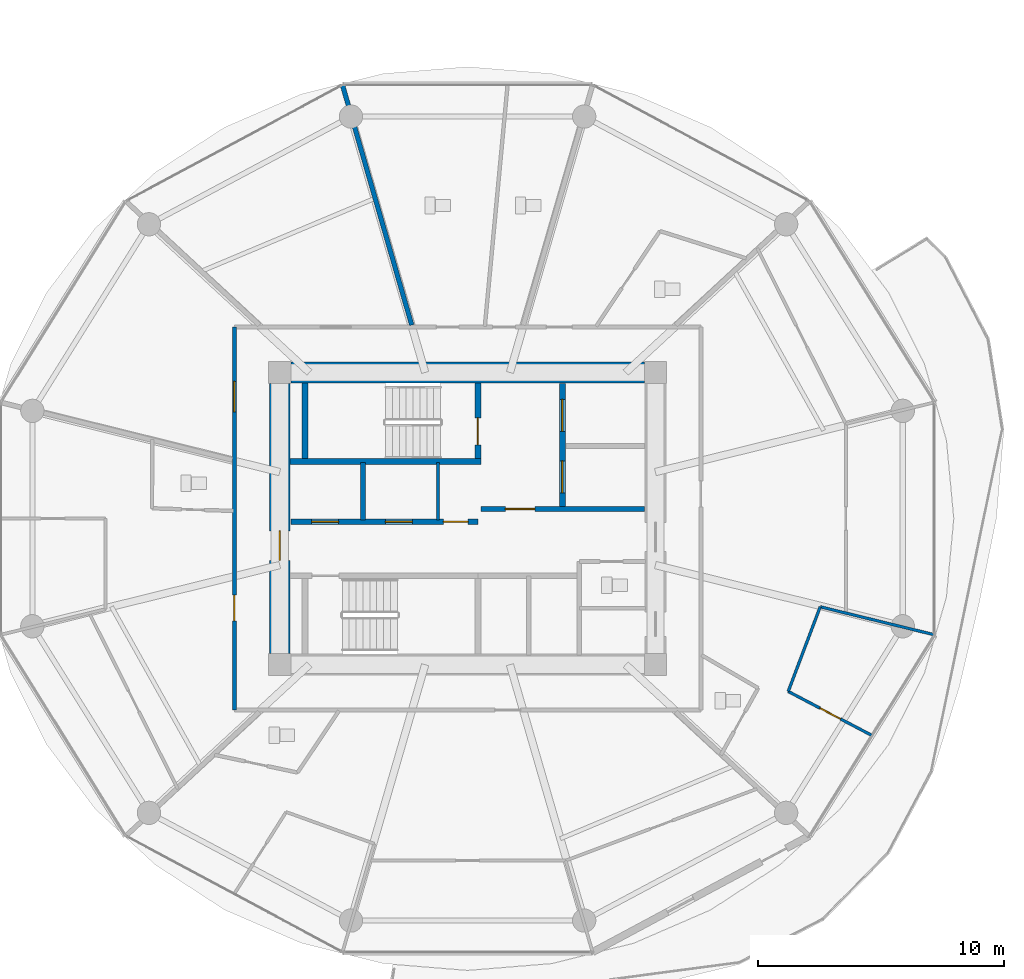
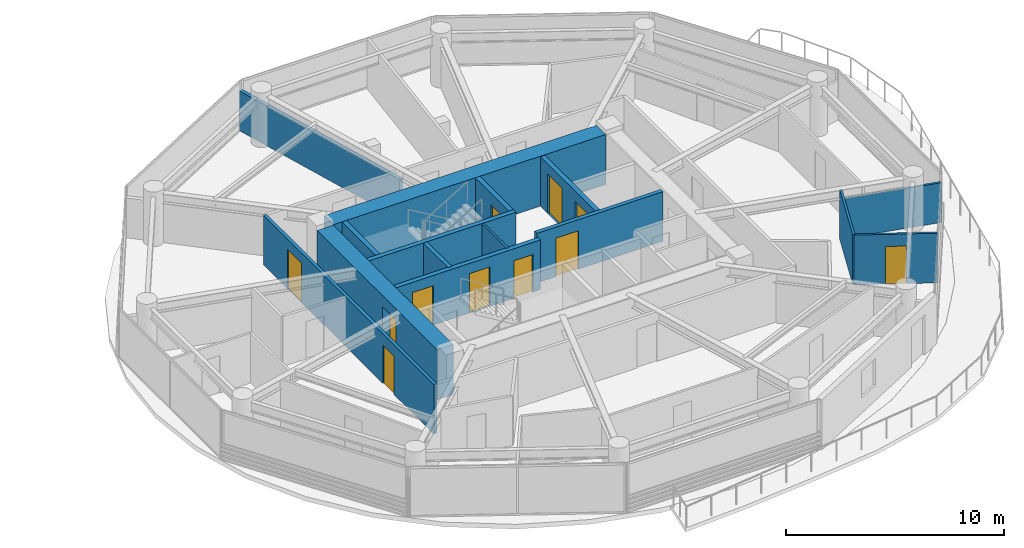
# One storey, part 19 of 27: 15 walls, 11 doors, 11 openings.
"""IFC4 building model written with IfcOpenShell, lengths in metres."""

from ifc_helpers import new_model, si_unit, direction, frame, frame_2d, origin, place, context, subcontext, project, spatial, rectangle, extrude, source, transform, mapped, material, layer, layer_set, type_object, type_shapes, element, fill, save


model = new_model("IFC4")

# Units and contexts
model_context = context("Model", 3, precision=1e-05, world=origin(), true_north=direction((0.0, 1.0)))
body_context = subcontext(model_context, "Body", "Model", "MODEL_VIEW")
ifc_project = project(units=[si_unit("LENGTHUNIT", "METRE"), si_unit("AREAUNIT", "SQUARE_METRE"), si_unit("VOLUMEUNIT", "CUBIC_METRE"), si_unit("PLANEANGLEUNIT", "RADIAN"), si_unit("MASSUNIT", "GRAM", prefix="KILO")], contexts=[model_context])

# Site, building, storey
site_placement = place(None, origin())
site = spatial("IfcSite", under=ifc_project, at=site_placement, CompositionType="ELEMENT")
building_placement = place(site_placement, origin())
building = spatial("IfcBuilding", under=site, at=building_placement, Name="Norrkilde Senior Care Towers", CompositionType="ELEMENT")
storey_placement = place(building_placement, frame((0.0, 0.0, 36.85009765625)))
storey = spatial("IfcBuildingStorey", under=building, at=storey_placement, Name="L10", CompositionType="ELEMENT", Elevation=36.85009765625)

# Wall
ifc_material_1 = material(Name="Concrete C60/75", Category="concrete")
ifc_layer_1 = layer(ifc_material_1, 0.85009765625)
ifc_layer_set_1 = layer_set([ifc_layer_1], Name="Concrete C60/75")
wall_type_1 = type_object("IfcWallType", Name="Core Shear Wall Z1 850", PredefinedType="SHEAR", material=ifc_layer_set_1)
shared_shape_1 = source(origin(), body_context, "Body", "SweptSolid", [
    extrude(rectangle(XDim=14.39990234375, YDim=0.85009765625, at=frame_2d((7.199951171875, 0.0))), origin(), (0.0, 0.0, 1.0), 2.789794921875),
])
wall_1_placement = place(storey_placement, frame((20.800048828125, 5.949951171875, 0.0), z_axis=(0.0, 0.0, 1.0), x_axis=(1.0, 0.0, 0.0)))
element("IfcWall", 1, at=wall_1_placement, inside=storey, type_object=wall_type_1, Name="L10 Core E North Shear Wall", PredefinedType="SHEAR", context=body_context, shape_type="MappedRepresentation", body=[
    mapped(shared_shape_1, transform((0.0, 0.0, 0.0), x_axis=(1.0, 0.0, 0.0), y_axis=(0.0, 1.0, 0.0), z_axis=(0.0, 0.0, 1.0), scale=1.0)),
])

# Wall, opening, door
shared_shape_2 = source(origin(), body_context, "Body", "SweptSolid", [
    extrude(rectangle(XDim=11.0, YDim=0.85009765625, at=frame_2d((5.5, 0.0))), origin(), (0.0, 0.0, 1.0), 2.789794921875),
])
type_shapes(wall_type_1, [shared_shape_1, shared_shape_2])
wall_2_placement = place(storey_placement, frame((20.35009765625, -5.5, 0.0), z_axis=(0.0, 0.0, 1.0), x_axis=(0.0, 1.0, 0.0)))
wall_2 = element("IfcWall", 2, at=wall_2_placement, inside=storey, type_object=wall_type_1, Name="L10 Core E West Shear Wall", PredefinedType="SHEAR", context=body_context, shape_type="MappedRepresentation", body=[
    mapped(shared_shape_2, transform((0.0, 0.0, 0.0), x_axis=(1.0, 0.0, 0.0), y_axis=(0.0, 1.0, 0.0), z_axis=(0.0, 0.0, 1.0), scale=1.0)),
])
opening_1_placement = place(wall_2_placement, frame((3.800048828125, 0.0, 0.0)))
opening_1 = element("IfcOpeningElement", 3, at=opening_1_placement, cuts=wall_2, Name="Opening D-04", PredefinedType="OPENING", context=body_context, shape_type="SweptSolid", body=[
    extrude(rectangle(XDim=1.199951171875, YDim=2.14990234375, at=frame_2d((0.60009765625, 1.074951171875))), frame((0.0, 0.43505859375, 0.0), z_axis=(0.0, -1.0, 0.0), x_axis=(1.0, 0.0, 0.0)), (0.0, 0.0, 1.0), 0.8701171875),
])
ifc_material_2 = material(Name="Galvanised Painted Steel", Category="steel")
door_type_1 = type_object("IfcDoorType", Name="Firefighting Lobby Fire Door 1200x2150", OperationType="NOTDEFINED", PredefinedType="DOOR", material=ifc_material_2)
shared_shape_3 = source(origin(), body_context, "Body", "SweptSolid", [
    extrude(rectangle(XDim=1.199951171875, YDim=2.14990234375, at=frame_2d((0.60009765625, 1.074951171875))), frame((0.0, 0.02490234375, 0.0), z_axis=(0.0, -1.0, 0.0), x_axis=(1.0, 0.0, 0.0)), (0.0, 0.0, 1.0), 0.050048828125),
])
type_shapes(door_type_1, [shared_shape_3])
door_1_placement = place(opening_1_placement, frame((1.199951171875, 0.0, 0.0), z_axis=(0.0, 0.0, 1.0), x_axis=(-1.0, 0.0, 0.0)))
door_1 = element("IfcDoor", 4, at=door_1_placement, inside=storey, type_object=door_type_1, Name="L10 Core E West Portal Door", OperationType="SINGLE_SWING_LEFT", OverallHeight=2.14990234375, OverallWidth=1.199951171875, PredefinedType="DOOR", context=body_context, shape_type="MappedRepresentation", body=[
    mapped(shared_shape_3, transform((0.0, 0.0, 0.0), x_axis=(1.0, 0.0, 0.0), y_axis=(0.0, 1.0, 0.0), z_axis=(0.0, 0.0, 1.0), scale=1.0)),
])
fill(opening_1, door_1)

# Walls
ifc_material_3 = material(Name="Concrete C45/55", Category="concrete")
ifc_layer_2 = layer(ifc_material_3, 0.239990234375)
ifc_layer_set_2 = layer_set([ifc_layer_2], Name="Concrete C45/55")
wall_type_2 = type_object("IfcWallType", Name="Shaft and Stair Enclosure Wall 240", PredefinedType="PARTITIONING", material=ifc_layer_set_2)
shared_shape_4 = source(origin(), body_context, "Body", "SweptSolid", [
    extrude(rectangle(XDim=7.76513671875, YDim=0.239990234375, at=frame_2d((3.882568359375, 0.0))), origin(), (0.0, 0.0, 1.0), 2.789794921875),
])
wall_3_placement = place(storey_placement, frame((20.77490234375, 2.330078125, 0.0), z_axis=(0.0, 0.0, 1.0), x_axis=(1.0, 0.0, 0.0)))
element("IfcWall", 5, at=wall_3_placement, inside=storey, type_object=wall_type_2, Name="WL-INT-L10-E-ST1S", PredefinedType="PARTITIONING", context=body_context, shape_type="MappedRepresentation", body=[
    mapped(shared_shape_4, transform((0.0, 0.0, 0.0), x_axis=(1.0, 0.0, 0.0), y_axis=(0.0, 1.0, 0.0), z_axis=(0.0, 0.0, 1.0), scale=1.0)),
])
shared_shape_5 = source(origin(), body_context, "Body", "SweptSolid", [
    extrude(rectangle(XDim=3.074951171875, YDim=0.239990234375, at=frame_2d((1.53759765625, 0.0))), origin(), (0.0, 0.0, 1.0), 2.789794921875),
])
type_shapes(wall_type_2, [shared_shape_4, shared_shape_5])
wall_4_placement = place(storey_placement, frame((21.3798828125, 2.449951171875, 0.0), z_axis=(0.0, 0.0, 1.0), x_axis=(0.0, 1.0, 0.0)))
element("IfcWall", 6, at=wall_4_placement, inside=storey, type_object=wall_type_2, Name="WL-INT-L10-E-ST1W", PredefinedType="PARTITIONING", context=body_context, shape_type="MappedRepresentation", body=[
    mapped(shared_shape_5, transform((0.0, 0.0, 0.0), x_axis=(1.0, 0.0, 0.0), y_axis=(0.0, 1.0, 0.0), z_axis=(0.0, 0.0, 1.0), scale=1.0)),
])

# Wall, opening, door
wall_5_placement = place(storey_placement, frame((28.419921875, 2.449951171875, 0.0), z_axis=(0.0, 0.0, 1.0), x_axis=(0.0, 1.0, 0.0)))
wall_5 = element("IfcWall", 7, at=wall_5_placement, inside=storey, type_object=wall_type_2, Name="WL-INT-L10-E-ST1E", PredefinedType="PARTITIONING", context=body_context, shape_type="MappedRepresentation", body=[
    mapped(shared_shape_5, transform((0.0, 0.0, 0.0), x_axis=(1.0, 0.0, 0.0), y_axis=(0.0, 1.0, 0.0), z_axis=(0.0, 0.0, 1.0), scale=1.0)),
])
opening_2_placement = place(wall_5_placement, frame((0.550048828125, 0.0, 0.0)))
opening_2 = element("IfcOpeningElement", 8, at=opening_2_placement, cuts=wall_5, Name="Opening D-03", PredefinedType="OPENING", context=body_context, shape_type="SweptSolid", body=[
    extrude(rectangle(XDim=1.10009765625, YDim=2.14990234375, at=frame_2d((0.550048828125, 1.074951171875))), frame((0.0, 0.1298828125, 0.0), z_axis=(0.0, -1.0, 0.0), x_axis=(1.0, 0.0, 0.0)), (0.0, 0.0, 1.0), 0.260009765625),
])
door_type_2 = type_object("IfcDoorType", Name="Stairwell Protected Fire Door 1100x2150", OperationType="NOTDEFINED", PredefinedType="DOOR", material=ifc_material_2)
shared_shape_6 = source(origin(), body_context, "Body", "SweptSolid", [
    extrude(rectangle(XDim=1.10009765625, YDim=2.14990234375, at=frame_2d((0.550048828125, 1.074951171875))), frame((0.0, 0.02490234375, 0.0), z_axis=(0.0, -1.0, 0.0), x_axis=(1.0, 0.0, 0.0)), (0.0, 0.0, 1.0), 0.050048828125),
])
type_shapes(door_type_2, [shared_shape_6])
door_2_placement = place(opening_2_placement, origin())
door_2 = element("IfcDoor", 9, at=door_2_placement, inside=storey, type_object=door_type_2, Name="L10 Stair E1 Fire Door", OperationType="SINGLE_SWING_LEFT", OverallHeight=2.14990234375, OverallWidth=1.10009765625, PredefinedType="DOOR", context=body_context, shape_type="MappedRepresentation", body=[
    mapped(shared_shape_6, transform((0.0, 0.0, 0.0), x_axis=(1.0, 0.0, 0.0), y_axis=(0.0, 1.0, 0.0), z_axis=(0.0, 0.0, 1.0), scale=1.0)),
])
fill(opening_2, door_2)

# Wall, openings, doors
ifc_layer_3 = layer(ifc_material_3, 0.239990234375)
ifc_layer_set_3 = layer_set([ifc_layer_3], Name="Concrete C45/55")
wall_type_3 = type_object("IfcWallType", Name="Lift and Plant Rated Enclosure Partition 240", PredefinedType="PARTITIONING", material=ifc_layer_set_3)
shared_shape_7 = source(origin(), body_context, "Body", "SweptSolid", [
    extrude(rectangle(XDim=5.0, YDim=0.239990234375, at=frame_2d((2.5, 0.0))), origin(), (0.0, 0.0, 1.0), 2.77490234375),
])
wall_6_placement = place(storey_placement, frame((31.860107421875, 0.5, 0.0), z_axis=(0.0, 0.0, 1.0), x_axis=(0.0, 1.0, 0.0)))
wall_6 = element("IfcWall", 10, at=wall_6_placement, inside=storey, type_object=wall_type_3, Name="WL-INT-L10-E-FFLE", PredefinedType="PARTITIONING", context=body_context, shape_type="MappedRepresentation", body=[
    mapped(shared_shape_7, transform((0.0, 0.0, 0.0), x_axis=(1.0, 0.0, 0.0), y_axis=(0.0, 1.0, 0.0), z_axis=(0.0, 0.0, 1.0), scale=1.0)),
])
opening_3_placement = place(wall_6_placement, frame((3.050048828125, 0.0, 0.0)))
opening_3 = element("IfcOpeningElement", 11, at=opening_3_placement, cuts=wall_6, Name="Opening LD-02", PredefinedType="OPENING", context=body_context, shape_type="SweptSolid", body=[
    extrude(rectangle(XDim=1.300048828125, YDim=2.199951171875, at=frame_2d((0.64990234375, 1.10009765625))), frame((0.0, 0.1298828125, 0.0), z_axis=(0.0, -1.0, 0.0), x_axis=(1.0, 0.0, 0.0)), (0.0, 0.0, 1.0), 0.260009765625),
])
opening_4_placement = place(wall_6_placement, frame((0.550048828125, 0.0, 0.0)))
opening_4 = element("IfcOpeningElement", 12, at=opening_4_placement, cuts=wall_6, Name="Opening LD-02", PredefinedType="OPENING", context=body_context, shape_type="SweptSolid", body=[
    extrude(rectangle(XDim=1.300048828125, YDim=2.199951171875, at=frame_2d((0.64990234375, 1.10009765625))), frame((0.0, 0.1298828125, 0.0), z_axis=(0.0, -1.0, 0.0), x_axis=(1.0, 0.0, 0.0)), (0.0, 0.0, 1.0), 0.260009765625),
])
ifc_material_4 = material(Name="Stainless Steel", Category="steel")
door_type_3 = type_object("IfcDoorType", Name="Stretcher and FFL Landing Sliding Door 1300x2200", OperationType="NOTDEFINED", PredefinedType="DOOR", material=ifc_material_4)
shared_shape_8 = source(origin(), body_context, "Body", "SweptSolid", [
    extrude(rectangle(XDim=1.300048828125, YDim=2.199951171875, at=frame_2d((0.64990234375, 1.10009765625))), frame((0.0, 0.02490234375, 0.0), z_axis=(0.0, -1.0, 0.0), x_axis=(1.0, 0.0, 0.0)), (0.0, 0.0, 1.0), 0.050048828125),
])
type_shapes(door_type_3, [shared_shape_8])
door_3_placement = place(opening_3_placement, origin())
door_3 = element("IfcDoor", 13, at=door_3_placement, inside=storey, type_object=door_type_3, Name="L10 Firefighting Lift E1 Landing Door", OperationType="SLIDING_TO_LEFT", OverallHeight=2.199951171875, OverallWidth=1.300048828125, PredefinedType="DOOR", context=body_context, shape_type="MappedRepresentation", body=[
    mapped(shared_shape_8, transform((0.0, 0.0, 0.0), x_axis=(1.0, 0.0, 0.0), y_axis=(0.0, 1.0, 0.0), z_axis=(0.0, 0.0, 1.0), scale=1.0)),
])
fill(opening_3, door_3)
door_4_placement = place(opening_4_placement, origin())
door_4 = element("IfcDoor", 14, at=door_4_placement, inside=storey, type_object=door_type_3, Name="L10 Stretcher Lift E1 Landing Door", OperationType="SLIDING_TO_RIGHT", OverallHeight=2.199951171875, OverallWidth=1.300048828125, PredefinedType="DOOR", context=body_context, shape_type="MappedRepresentation", body=[
    mapped(shared_shape_8, transform((0.0, 0.0, 0.0), x_axis=(1.0, 0.0, 0.0), y_axis=(0.0, 1.0, 0.0), z_axis=(0.0, 0.0, 1.0), scale=1.0)),
])
fill(opening_4, door_4)

# Wall, opening, door
ifc_layer_4 = layer(ifc_material_3, 0.2099609375)
ifc_layer_set_4 = layer_set([ifc_layer_4], Name="Concrete C45/55")
wall_type_4 = type_object("IfcWallType", Name="Firefighting Lobby Wall 210", PredefinedType="PARTITIONING", material=ifc_layer_set_4)
shared_shape_9 = source(origin(), body_context, "Body", "SweptSolid", [
    extrude(rectangle(XDim=6.659912109375, YDim=0.2099609375, at=frame_2d((3.330078125, 0.0))), origin(), (0.0, 0.0, 1.0), 2.77490234375),
])
type_shapes(wall_type_4, [shared_shape_9])
wall_7_placement = place(storey_placement, frame((28.5400390625, 0.389892578125, 0.0), z_axis=(0.0, 0.0, 1.0), x_axis=(1.0, 0.0, 0.0)))
wall_7 = element("IfcWall", 15, at=wall_7_placement, inside=storey, type_object=wall_type_4, Name="WL-INT-L10-E-FFLS", PredefinedType="PARTITIONING", context=body_context, shape_type="MappedRepresentation", body=[
    mapped(shared_shape_9, transform((0.0, 0.0, 0.0), x_axis=(1.0, 0.0, 0.0), y_axis=(0.0, 1.0, 0.0), z_axis=(0.0, 0.0, 1.0), scale=1.0)),
])
opening_5_placement = place(wall_7_placement, frame((1.0, 0.0, 0.0)))
opening_5 = element("IfcOpeningElement", 16, at=opening_5_placement, cuts=wall_7, Name="Opening D-04", PredefinedType="OPENING", context=body_context, shape_type="SweptSolid", body=[
    extrude(rectangle(XDim=1.199951171875, YDim=2.14990234375, at=frame_2d((0.60009765625, 1.074951171875))), frame((0.0, 0.114990234375, 0.0), z_axis=(0.0, -1.0, 0.0), x_axis=(1.0, 0.0, 0.0)), (0.0, 0.0, 1.0), 0.22998046875),
])
door_5_placement = place(opening_5_placement, frame((1.199951171875, 0.0, 0.0), z_axis=(0.0, 0.0, 1.0), x_axis=(-1.0, 0.0, 0.0)))
door_5 = element("IfcDoor", 17, at=door_5_placement, inside=storey, type_object=door_type_1, Name="L10 Firefighting Lobby E Door", OperationType="SINGLE_SWING_LEFT", OverallHeight=2.14990234375, OverallWidth=1.199951171875, PredefinedType="DOOR", context=body_context, shape_type="MappedRepresentation", body=[
    mapped(shared_shape_3, transform((0.0, 0.0, 0.0), x_axis=(1.0, 0.0, 0.0), y_axis=(0.0, 1.0, 0.0), z_axis=(0.0, 0.0, 1.0), scale=1.0)),
])
fill(opening_5, door_5)

# Wall, openings, doors
shared_shape_10 = source(origin(), body_context, "Body", "SweptSolid", [
    extrude(rectangle(XDim=7.619873046875, YDim=0.239990234375, at=frame_2d((3.81005859375, 0.0))), origin(), (0.0, 0.0, 1.0), 2.77490234375),
])
type_shapes(wall_type_3, [shared_shape_7, shared_shape_10])
wall_8_placement = place(storey_placement, frame((20.800048828125, -0.1298828125, 0.0), z_axis=(0.0, 0.0, 1.0), x_axis=(1.0, 0.0, 0.0)))
wall_8 = element("IfcWall", 18, at=wall_8_placement, inside=storey, type_object=wall_type_3, Name="WL-INT-L10-E-PKAS", PredefinedType="PARTITIONING", context=body_context, shape_type="MappedRepresentation", body=[
    mapped(shared_shape_10, transform((0.0, 0.0, 0.0), x_axis=(1.0, 0.0, 0.0), y_axis=(0.0, 1.0, 0.0), z_axis=(0.0, 0.0, 1.0), scale=1.0)),
])
opening_6_placement = place(wall_8_placement, frame((6.219970703125, 0.0, 0.0)))
opening_6 = element("IfcOpeningElement", 19, at=opening_6_placement, cuts=wall_8, Name="Opening D-10", PredefinedType="OPENING", context=body_context, shape_type="SweptSolid", body=[
    extrude(rectangle(XDim=1.0, YDim=2.10009765625, at=frame_2d((0.5, 1.050048828125))), frame((0.0, 0.1298828125, 0.0), z_axis=(0.0, -1.0, 0.0), x_axis=(1.0, 0.0, 0.0)), (0.0, 0.0, 1.0), 0.260009765625),
])
opening_7_placement = place(wall_8_placement, frame((0.85009765625, 0.0, 0.0)))
opening_7 = element("IfcOpeningElement", 20, at=opening_7_placement, cuts=wall_8, Name="Opening LD-01", PredefinedType="OPENING", context=body_context, shape_type="SweptSolid", body=[
    extrude(rectangle(XDim=1.10009765625, YDim=2.199951171875, at=frame_2d((0.550048828125, 1.10009765625))), frame((0.0, 0.1298828125, 0.0), z_axis=(0.0, -1.0, 0.0), x_axis=(1.0, 0.0, 0.0)), (0.0, 0.0, 1.0), 0.260009765625),
])
opening_8_placement = place(wall_8_placement, frame((3.85009765625, 0.0, 0.0)))
opening_8 = element("IfcOpeningElement", 21, at=opening_8_placement, cuts=wall_8, Name="Opening LD-01", PredefinedType="OPENING", context=body_context, shape_type="SweptSolid", body=[
    extrude(rectangle(XDim=1.10009765625, YDim=2.199951171875, at=frame_2d((0.550048828125, 1.10009765625))), frame((0.0, 0.1298828125, 0.0), z_axis=(0.0, -1.0, 0.0), x_axis=(1.0, 0.0, 0.0)), (0.0, 0.0, 1.0), 0.260009765625),
])
door_type_4 = type_object("IfcDoorType", Name="Plant and Riser Rated Door 1000x2100", OperationType="NOTDEFINED", PredefinedType="DOOR", material=ifc_material_2)
shared_shape_11 = source(origin(), body_context, "Body", "SweptSolid", [
    extrude(rectangle(XDim=1.0, YDim=2.10009765625, at=frame_2d((0.5, 1.050048828125))), frame((0.0, 0.02490234375, 0.0), z_axis=(0.0, -1.0, 0.0), x_axis=(1.0, 0.0, 0.0)), (0.0, 0.0, 1.0), 0.050048828125),
])
type_shapes(door_type_4, [shared_shape_11])
door_6_placement = place(opening_6_placement, frame((1.0, 0.0, 0.0), z_axis=(0.0, 0.0, 1.0), x_axis=(-1.0, 0.0, 0.0)))
door_6 = element("IfcDoor", 22, at=door_6_placement, inside=storey, type_object=door_type_4, Name="L10 Electrical Riser E Door", OperationType="SINGLE_SWING_LEFT", OverallHeight=2.10009765625, OverallWidth=1.0, PredefinedType="DOOR", context=body_context, shape_type="MappedRepresentation", body=[
    mapped(shared_shape_11, transform((0.0, 0.0, 0.0), x_axis=(1.0, 0.0, 0.0), y_axis=(0.0, 1.0, 0.0), z_axis=(0.0, 0.0, 1.0), scale=1.0)),
])
fill(opening_6, door_6)
door_type_5 = type_object("IfcDoorType", Name="Lift Landing Sliding Door 1100x2200", OperationType="NOTDEFINED", PredefinedType="DOOR", material=ifc_material_4)
shared_shape_12 = source(origin(), body_context, "Body", "SweptSolid", [
    extrude(rectangle(XDim=1.10009765625, YDim=2.199951171875, at=frame_2d((0.550048828125, 1.10009765625))), frame((0.0, 0.02490234375, 0.0), z_axis=(0.0, -1.0, 0.0), x_axis=(1.0, 0.0, 0.0)), (0.0, 0.0, 1.0), 0.050048828125),
])
type_shapes(door_type_5, [shared_shape_12])
door_7_placement = place(opening_7_placement, origin())
door_7 = element("IfcDoor", 23, at=door_7_placement, inside=storey, type_object=door_type_5, Name="L10 Passenger Lift E1 Landing Door", OperationType="SLIDING_TO_LEFT", OverallHeight=2.199951171875, OverallWidth=1.10009765625, PredefinedType="DOOR", context=body_context, shape_type="MappedRepresentation", body=[
    mapped(shared_shape_12, transform((0.0, 0.0, 0.0), x_axis=(1.0, 0.0, 0.0), y_axis=(0.0, 1.0, 0.0), z_axis=(0.0, 0.0, 1.0), scale=1.0)),
])
fill(opening_7, door_7)
door_8_placement = place(opening_8_placement, origin())
door_8 = element("IfcDoor", 24, at=door_8_placement, inside=storey, type_object=door_type_5, Name="L10 Passenger Lift E2 Landing Door", OperationType="SLIDING_TO_RIGHT", OverallHeight=2.199951171875, OverallWidth=1.10009765625, PredefinedType="DOOR", context=body_context, shape_type="MappedRepresentation", body=[
    mapped(shared_shape_12, transform((0.0, 0.0, 0.0), x_axis=(1.0, 0.0, 0.0), y_axis=(0.0, 1.0, 0.0), z_axis=(0.0, 0.0, 1.0), scale=1.0)),
])
fill(opening_8, door_8)

# Walls
ifc_material_5 = material(Name="Gypsum Acoustic Board")
ifc_layer_5 = layer(ifc_material_5, 0.114990234375)
ifc_layer_set_5 = layer_set([ifc_layer_5], Name="Gypsum Acoustic Board")
wall_type_5 = type_object("IfcWallType", Name="Internal Room Partition 115", PredefinedType="PARTITIONING", material=ifc_layer_set_5)
shared_shape_13 = source(origin(), body_context, "Body", "SweptSolid", [
    extrude(rectangle(XDim=2.330078125, YDim=0.114990234375, at=frame_2d((1.1650390625, 0.0))), origin(), (0.0, 0.0, 1.0), 2.77490234375),
])
wall_9_placement = place(storey_placement, frame((26.7900390625, -0.050048828125, 0.0), z_axis=(0.0, 0.0, 1.0), x_axis=(0.0, 1.0, 0.0)))
element("IfcWall", 25, at=wall_9_placement, inside=storey, type_object=wall_type_5, Name="WL-INT-L10-E-RISW", PredefinedType="PARTITIONING", context=body_context, shape_type="MappedRepresentation", body=[
    mapped(shared_shape_13, transform((0.0, 0.0, 0.0), x_axis=(1.0, 0.0, 0.0), y_axis=(0.0, 1.0, 0.0), z_axis=(0.0, 0.0, 1.0), scale=1.0)),
])
ifc_layer_6 = layer(ifc_material_3, 0.199951171875)
ifc_layer_set_6 = layer_set([ifc_layer_6], Name="Concrete C45/55")
wall_type_6 = type_object("IfcWallType", Name="Shaft Division and Plant Partition 200", PredefinedType="PARTITIONING", material=ifc_layer_set_6)
shared_shape_14 = source(origin(), body_context, "Body", "SweptSolid", [
    extrude(rectangle(XDim=2.330078125, YDim=0.199951171875, at=frame_2d((1.1650390625, 0.0))), origin(), (0.0, 0.0, 1.0), 2.77490234375),
])
type_shapes(wall_type_6, [shared_shape_14])
wall_10_placement = place(storey_placement, frame((23.75, -0.050048828125, 0.0), z_axis=(0.0, 0.0, 1.0), x_axis=(0.0, 1.0, 0.0)))
element("IfcWall", 26, at=wall_10_placement, inside=storey, type_object=wall_type_6, Name="WL-INT-L10-E-PL12", PredefinedType="PARTITIONING", context=body_context, shape_type="MappedRepresentation", body=[
    mapped(shared_shape_14, transform((0.0, 0.0, 0.0), x_axis=(1.0, 0.0, 0.0), y_axis=(0.0, 1.0, 0.0), z_axis=(0.0, 0.0, 1.0), scale=1.0)),
])

# Wall, openings, doors
ifc_layer_7 = layer(ifc_material_5, 0.1650390625)
ifc_layer_set_7 = layer_set([ifc_layer_7], Name="Gypsum Acoustic Board")
wall_type_7 = type_object("IfcWallType", Name="Corridor Rated Partition 165", PredefinedType="PARTITIONING", material=ifc_layer_set_7)
shared_shape_15 = source(origin(), body_context, "Body", "SweptSolid", [
    extrude(rectangle(XDim=15.60009765625, YDim=0.1650390625, at=frame_2d((7.800048828125, 0.0))), origin(), (0.0, 0.0, 1.0), 2.77490234375),
])
type_shapes(wall_type_7, [shared_shape_15])
wall_11_placement = place(storey_placement, frame((18.5, -7.800048828125, 0.0), z_axis=(0.0, 0.0, 1.0), x_axis=(0.0, 1.0, 0.0)))
wall_11 = element("IfcWall", 27, at=wall_11_placement, inside=storey, type_object=wall_type_7, Name="WL-INT-L10-E-CRW-W-0", PredefinedType="PARTITIONING", context=body_context, shape_type="MappedRepresentation", body=[
    mapped(shared_shape_15, transform((0.0, 0.0, 0.0), x_axis=(1.0, 0.0, 0.0), y_axis=(0.0, 1.0, 0.0), z_axis=(0.0, 0.0, 1.0), scale=1.0)),
])
opening_9_placement = place(wall_11_placement, frame((12.141357421875, 0.0, 0.0)))
opening_9 = element("IfcOpeningElement", 28, at=opening_9_placement, cuts=wall_11, Name="Opening D-05", PredefinedType="OPENING", context=body_context, shape_type="SweptSolid", body=[
    extrude(rectangle(XDim=1.25, YDim=2.199951171875, at=frame_2d((0.625, 1.10009765625))), frame((0.0, 0.092529296875, 0.0), z_axis=(0.0, -1.0, 0.0), x_axis=(1.0, 0.0, 0.0)), (0.0, 0.0, 1.0), 0.18505859375),
])
opening_10_placement = place(wall_11_placement, frame((3.63037109375, 0.0, 0.0)))
opening_10 = element("IfcOpeningElement", 29, at=opening_10_placement, cuts=wall_11, Name="Opening D-06", PredefinedType="OPENING", context=body_context, shape_type="SweptSolid", body=[
    extrude(rectangle(XDim=1.050048828125, YDim=2.14990234375, at=frame_2d((0.52490234375, 1.074951171875))), frame((0.0, 0.092529296875, 0.0), z_axis=(0.0, -1.0, 0.0), x_axis=(1.0, 0.0, 0.0)), (0.0, 0.0, 1.0), 0.18505859375),
])
ifc_material_6 = material(Name="Nordic Ash Timber", Category="wood")
door_type_6 = type_object("IfcDoorType", Name="Care Bedroom Bariatric Door 1250x2200", OperationType="NOTDEFINED", PredefinedType="DOOR", material=ifc_material_6)
shared_shape_16 = source(origin(), body_context, "Body", "SweptSolid", [
    extrude(rectangle(XDim=1.25, YDim=2.199951171875, at=frame_2d((0.625, 1.10009765625))), frame((0.0, 0.02490234375, 0.0), z_axis=(0.0, -1.0, 0.0), x_axis=(1.0, 0.0, 0.0)), (0.0, 0.0, 1.0), 0.050048828125),
])
type_shapes(door_type_6, [shared_shape_16])
door_9_placement = place(opening_9_placement, frame((1.25, 0.0, 0.0), z_axis=(0.0, 0.0, 1.0), x_axis=(-1.0, 0.0, 0.0)))
door_9 = element("IfcDoor", 30, at=door_9_placement, inside=storey, type_object=door_type_6, Name="L10 Care Coordination Charting Office Door", OperationType="SINGLE_SWING_LEFT", OverallHeight=2.199951171875, OverallWidth=1.25, PredefinedType="DOOR", context=body_context, shape_type="MappedRepresentation", body=[
    mapped(shared_shape_16, transform((0.0, 0.0, 0.0), x_axis=(1.0, 0.0, 0.0), y_axis=(0.0, 1.0, 0.0), z_axis=(0.0, 0.0, 1.0), scale=1.0)),
])
fill(opening_9, door_9)
door_type_7 = type_object("IfcDoorType", Name="Apartment Entrance Fire Door 1050x2150", OperationType="NOTDEFINED", PredefinedType="DOOR", material=ifc_material_6)
shared_shape_17 = source(origin(), body_context, "Body", "SweptSolid", [
    extrude(rectangle(XDim=1.050048828125, YDim=2.14990234375, at=frame_2d((0.52490234375, 1.074951171875))), frame((0.0, 0.02490234375, 0.0), z_axis=(0.0, -1.0, 0.0), x_axis=(1.0, 0.0, 0.0)), (0.0, 0.0, 1.0), 0.050048828125),
])
type_shapes(door_type_7, [shared_shape_17])
door_10_placement = place(opening_10_placement, frame((1.050048828125, 0.0, 0.0), z_axis=(0.0, 0.0, 1.0), x_axis=(-1.0, 0.0, 0.0)))
door_10 = element("IfcDoor", 31, at=door_10_placement, inside=storey, type_object=door_type_7, Name="Apartment 10D Entrance Door", OperationType="SINGLE_SWING_RIGHT", OverallHeight=2.14990234375, OverallWidth=1.050048828125, PredefinedType="DOOR", context=body_context, shape_type="MappedRepresentation", body=[
    mapped(shared_shape_17, transform((0.0, 0.0, 0.0), x_axis=(1.0, 0.0, 0.0), y_axis=(0.0, 1.0, 0.0), z_axis=(0.0, 0.0, 1.0), scale=1.0)),
])
fill(opening_10, door_10)

# Wall
ifc_layer_8 = layer(ifc_material_5, 0.18994140625)
ifc_layer_set_8 = layer_set([ifc_layer_8], Name="Gypsum Acoustic Board")
wall_type_8 = type_object("IfcWallType", Name="Unit Demising Acoustic Wall 190", PredefinedType="PARTITIONING", material=ifc_layer_set_8)
shared_shape_18 = source(origin(), body_context, "Body", "SweptSolid", [
    extrude(rectangle(XDim=10.196044921875, YDim=0.18994140625, at=frame_2d((5.09814453125, 0.0))), origin(), (0.0, 0.0, 1.0), 2.224853515625),
])
type_shapes(wall_type_8, [shared_shape_18])
wall_12_placement = place(storey_placement, frame((25.72705078125, 7.8798828125, 0.0), z_axis=(0.0, 0.0, 1.0), x_axis=(-0.277136420347, 0.960830580549, 0.0)))
element("IfcWall", 32, at=wall_12_placement, inside=storey, type_object=wall_type_8, Name="WL-INT-L10-E-DEM-03-0", PredefinedType="PARTITIONING", context=body_context, shape_type="MappedRepresentation", body=[
    mapped(shared_shape_18, transform((0.0, 0.0, 0.0), x_axis=(1.0, 0.0, 0.0), y_axis=(0.0, 1.0, 0.0), z_axis=(0.0, 0.0, 1.0), scale=1.0)),
])

# Wall, opening, door
shared_shape_19 = source(origin(), body_context, "Body", "SweptSolid", [
    extrude(rectangle(XDim=3.863525390625, YDim=0.114990234375, at=frame_2d((1.931640625, 0.0))), origin(), (0.0, 0.0, 1.0), 2.77490234375),
])
wall_13_placement = place(storey_placement, frame((41.0595703125, -7.040771484375, 0.0), z_axis=(0.0, 0.0, 1.0), x_axis=(0.885194959803, -0.465220252289, 0.0)))
wall_13 = element("IfcWall", 33, at=wall_13_placement, inside=storey, type_object=wall_type_5, Name="WL-INT-L10-E-UKTS-10", PredefinedType="PARTITIONING", context=body_context, shape_type="MappedRepresentation", body=[
    mapped(shared_shape_19, transform((0.0, 0.0, 0.0), x_axis=(1.0, 0.0, 0.0), y_axis=(0.0, 1.0, 0.0), z_axis=(0.0, 0.0, 1.0), scale=1.0)),
])
opening_11_placement = place(wall_13_placement, frame((1.456787109375, 0.0, 0.0)))
opening_11 = element("IfcOpeningElement", 34, at=opening_11_placement, cuts=wall_13, Name="Opening D-07", PredefinedType="OPENING", context=body_context, shape_type="SweptSolid", body=[
    extrude(rectangle(XDim=0.949951171875, YDim=2.10009765625, at=frame_2d((0.47509765625, 1.050048828125))), frame((0.0, 0.0673828125, 0.0), z_axis=(0.0, -1.0, 0.0), x_axis=(1.0, 0.0, 0.0)), (0.0, 0.0, 1.0), 0.135009765625),
])
door_type_8 = type_object("IfcDoorType", Name="Internal Suite Bedroom Door 950x2100", OperationType="NOTDEFINED", PredefinedType="DOOR", material=ifc_material_6)
shared_shape_20 = source(origin(), body_context, "Body", "SweptSolid", [
    extrude(rectangle(XDim=0.949951171875, YDim=2.10009765625, at=frame_2d((0.47509765625, 1.050048828125))), frame((0.0, 0.02490234375, 0.0), z_axis=(0.0, -1.0, 0.0), x_axis=(1.0, 0.0, 0.0)), (0.0, 0.0, 1.0), 0.050048828125),
])
type_shapes(door_type_8, [shared_shape_20])
door_11_placement = place(opening_11_placement, frame((0.949951171875, 0.0, 0.0), z_axis=(0.0, 0.0, 1.0), x_axis=(-1.0, 0.0, 0.0)))
door_11 = element("IfcDoor", 35, at=door_11_placement, inside=storey, type_object=door_type_8, Name="Apartment 10F Kitchen Door", OperationType="SINGLE_SWING_LEFT", OverallHeight=2.10009765625, OverallWidth=0.949951171875, PredefinedType="DOOR", context=body_context, shape_type="MappedRepresentation", body=[
    mapped(shared_shape_20, transform((0.0, 0.0, 0.0), x_axis=(1.0, 0.0, 0.0), y_axis=(0.0, 1.0, 0.0), z_axis=(0.0, 0.0, 1.0), scale=1.0)),
])
fill(opening_11, door_11)

# Walls
shared_shape_21 = source(origin(), body_context, "Body", "SweptSolid", [
    extrude(rectangle(XDim=3.685302734375, YDim=0.114990234375, at=frame_2d((1.8427734375, 0.0))), origin(), (0.0, 0.0, 1.0), 2.77490234375),
])
wall_14_placement = place(storey_placement, frame((41.0595703125, -7.040771484375, 0.0), z_axis=(0.0, 0.0, 1.0), x_axis=(0.353503632997, 0.935433151785, 0.0)))
element("IfcWall", 36, at=wall_14_placement, inside=storey, type_object=wall_type_5, Name="WL-INT-L10-E-UKTF-10", PredefinedType="PARTITIONING", context=body_context, shape_type="MappedRepresentation", body=[
    mapped(shared_shape_21, transform((0.0, 0.0, 0.0), x_axis=(1.0, 0.0, 0.0), y_axis=(0.0, 1.0, 0.0), z_axis=(0.0, 0.0, 1.0), scale=1.0)),
])
shared_shape_22 = source(origin(), body_context, "Body", "SweptSolid", [
    extrude(rectangle(XDim=4.802978515625, YDim=0.114990234375, at=frame_2d((2.4013671875, 0.0))), origin(), (0.0, 0.0, 1.0), 2.224853515625),
])
type_shapes(wall_type_5, [shared_shape_13, shared_shape_19, shared_shape_21, shared_shape_22])
wall_15_placement = place(storey_placement, frame((42.36376953125, -3.59375, 0.0), z_axis=(0.0, 0.0, 1.0), x_axis=(0.97129155908, -0.237892217736, 0.0)))
element("IfcWall", 37, at=wall_15_placement, inside=storey, type_object=wall_type_5, Name="WL-INT-L10-E-UBR-10-1", PredefinedType="PARTITIONING", context=body_context, shape_type="MappedRepresentation", body=[
    mapped(shared_shape_22, transform((0.0, 0.0, 0.0), x_axis=(1.0, 0.0, 0.0), y_axis=(0.0, 1.0, 0.0), z_axis=(0.0, 0.0, 1.0), scale=1.0)),
])

save(model, "model.ifc")
